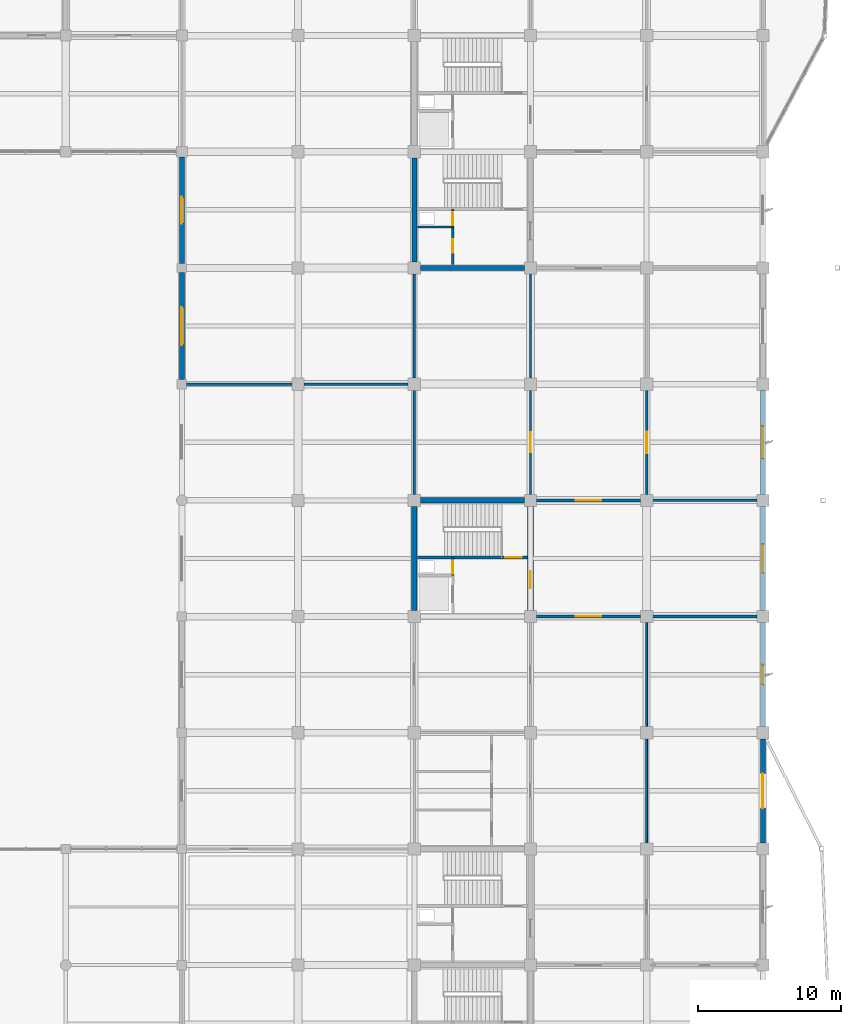
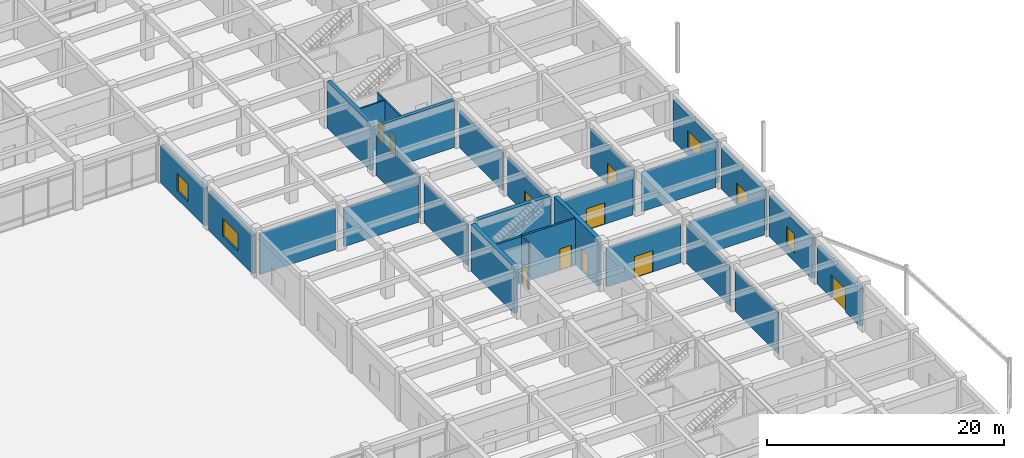
# One storey, part 70 of 99: 29 walls, 11 doors, 4 windows, 15 openings.
"""IFC4 building model written with IfcOpenShell, lengths in metres."""

from ifc_helpers import new_model, si_unit, direction, frame, frame_2d, origin, place, context, subcontext, project, spatial, rectangle, extrude, material, layer, layer_set, type_object, element, fill, save


model = new_model("IFC4")

# Units and contexts
model_context = context("Model", 3, precision=1e-05, world=origin(), true_north=direction((0.0, 1.0)))
body_context = subcontext(model_context, "Body", "Model", "MODEL_VIEW")
ifc_project = project(units=[si_unit("LENGTHUNIT", "METRE"), si_unit("AREAUNIT", "SQUARE_METRE"), si_unit("VOLUMEUNIT", "CUBIC_METRE"), si_unit("PLANEANGLEUNIT", "RADIAN"), si_unit("MASSUNIT", "GRAM", prefix="KILO")], contexts=[model_context])

# Site, building, storey
site_placement = place(None, origin())
site = spatial("IfcSite", under=ifc_project, at=site_placement, CompositionType="ELEMENT")
building_placement = place(site_placement, origin())
building = spatial("IfcBuilding", under=site, at=building_placement, Name="Vaudrelin Polytechnic", CompositionType="ELEMENT")
storey_placement = place(building_placement, origin())
storey = spatial("IfcBuildingStorey", under=building, at=storey_placement, Name="L00", CompositionType="ELEMENT", Elevation=0.0)

# Wall, opening, door
ifc_material_1 = material(Name="Precast concrete 35 MPa with terracotta baguette screen", Category="masonry")
ifc_layer_1 = layer(ifc_material_1, 0.35009765625)
ifc_layer_set_1 = layer_set([ifc_layer_1], Name="Precast concrete 35 MPa with terracotta baguette screen")
wall_type_1 = type_object("IfcWallType", Name="WAL-EW-TERR350", PredefinedType="STANDARD", material=ifc_layer_set_1)
wall_1_placement = place(storey_placement, frame((170.10009765625, 49.02294921875, 0.0), z_axis=(0.0, 0.0, 1.0), x_axis=(0.0, 1.0, 0.0)))
wall_1 = element("IfcWall", 1, at=wall_1_placement, inside=storey, type_object=wall_type_1, Name="Exterior wall L00 E_V4_04", PredefinedType="STANDARD", context=body_context, shape_type="SweptSolid", body=[
    extrude(rectangle(XDim=7.254150390625, YDim=0.35009765625, at=frame_2d((3.626953125, 0.0))), origin(), (0.0, 0.0, 1.0), 3.8720703125),
])
opening_1_placement = place(wall_1_placement, frame((4.826904296875, 0.0, 0.0), z_axis=(0.0, 0.0, 1.0), x_axis=(-1.0, 0.0, 0.0)))
opening_1 = element("IfcOpeningElement", 2, at=opening_1_placement, cuts=wall_1, Name="Opening ED-00-20", PredefinedType="OPENING", context=body_context, shape_type="SweptSolid", body=[
    extrude(rectangle(XDim=2.39990234375, YDim=2.39990234375, at=frame_2d((1.199951171875, 1.199951171875))), frame((0.0, 0.18505859375, 0.0), z_axis=(0.0, -1.0, 0.0), x_axis=(1.0, 0.0, 0.0)), (0.0, 0.0, 1.0), 0.3701171875),
])
ifc_material_2 = material(Name="Thermally broken anodised aluminium AA 6063-T6", Category="aluminium")
door_type_1 = type_object("IfcDoorType", Name="DOR-ED-01", OperationType="DOUBLE_SWING_LEFT", PredefinedType="DOOR", material=ifc_material_2)
door_1_placement = place(opening_1_placement, origin())
door_1 = element("IfcDoor", 3, at=door_1_placement, inside=storey, type_object=door_type_1, Name="Exterior exit door ED-00-20", OperationType="DOUBLE_SWING_RIGHT", OverallHeight=2.39990234375, OverallWidth=2.39990234375, PredefinedType="DOOR", context=body_context, shape_type="SweptSolid", body=[
    extrude(rectangle(XDim=2.39990234375, YDim=2.39990234375, at=frame_2d((1.199951171875, 1.199951171875))), frame((0.0, 0.02490234375, 0.0), z_axis=(0.0, -1.0, 0.0), x_axis=(1.0, 0.0, 0.0)), (0.0, 0.0, 1.0), 0.050048828125),
])
fill(opening_1, door_1)

# Wall, opening, window
wall_2_placement = place(storey_placement, frame((170.10009765625, 57.123046875, 0.0), z_axis=(0.0, 0.0, 1.0), x_axis=(0.0, 1.0, 0.0)))
wall_2 = element("IfcWall", 4, at=wall_2_placement, inside=storey, type_object=wall_type_1, Name="Exterior wall L00 E_V4_05", PredefinedType="STANDARD", context=body_context, shape_type="SweptSolid", body=[
    extrude(rectangle(XDim=7.25390625, YDim=0.35009765625, at=frame_2d((3.626953125, 0.0))), origin(), (0.0, 0.0, 1.0), 4.172119140625),
])
opening_2_placement = place(wall_2_placement, frame((2.951904296875, 0.0, 0.85009765625)))
opening_2 = element("IfcOpeningElement", 5, at=opening_2_placement, cuts=wall_2, Name="Opening W-L00-E-V4-06", PredefinedType="OPENING", context=body_context, shape_type="SweptSolid", body=[
    extrude(rectangle(XDim=1.35009765625, YDim=1.949951171875, at=frame_2d((0.675048828125, 0.97509765625))), frame((0.0, 0.18505859375, 0.0), z_axis=(0.0, -1.0, 0.0), x_axis=(1.0, 0.0, 0.0)), (0.0, 0.0, 1.0), 0.3701171875),
])
ifc_material_3 = material(Name="Thermally broken aluminium frame with triple low-e glazing", Category="aluminium")
window_type_1 = type_object("IfcWindowType", Name="WIN-WN-14", PartitioningType="SINGLE_PANEL", PredefinedType="WINDOW", material=ifc_material_3)
window_1_placement = place(opening_2_placement, origin())
window_1 = element("IfcWindow", 6, at=window_1_placement, inside=storey, type_object=window_type_1, Name="Facade window L00-E_V4_05", OverallHeight=1.949951171875, OverallWidth=1.35009765625, PartitioningType="SINGLE_PANEL", PredefinedType="WINDOW", context=body_context, shape_type="SweptSolid", body=[
    extrude(rectangle(XDim=1.35009765625, YDim=1.949951171875, at=frame_2d((0.675048828125, 0.97509765625))), frame((0.0, 0.030029296875, 0.0), z_axis=(0.0, -1.0, 0.0), x_axis=(1.0, 0.0, 0.0)), (0.0, 0.0, 1.0), 0.06005859375),
])
fill(opening_2, window_1)

# Wall, opening, door
wall_3_placement = place(storey_placement, frame((170.10009765625, 65.222900390625, 0.0), z_axis=(0.0, 0.0, 1.0), x_axis=(0.0, 1.0, 0.0)))
wall_3 = element("IfcWall", 7, at=wall_3_placement, inside=storey, type_object=wall_type_1, Name="Exterior wall L00 E_V4_06", PredefinedType="STANDARD", context=body_context, shape_type="SweptSolid", body=[
    extrude(rectangle(XDim=7.254150390625, YDim=0.35009765625, at=frame_2d((3.626953125, 0.0))), origin(), (0.0, 0.0, 1.0), 4.172119140625),
])
opening_3_placement = place(wall_3_placement, frame((4.626953125, 0.0, 0.0), z_axis=(0.0, 0.0, 1.0), x_axis=(-1.0, 0.0, 0.0)))
opening_3 = element("IfcOpeningElement", 8, at=opening_3_placement, cuts=wall_3, Name="Opening ED-00-08", PredefinedType="OPENING", context=body_context, shape_type="SweptSolid", body=[
    extrude(rectangle(XDim=2.0, YDim=2.199951171875, at=frame_2d((1.0, 1.10009765625))), frame((0.0, 0.18505859375, 0.0), z_axis=(0.0, -1.0, 0.0), x_axis=(1.0, 0.0, 0.0)), (0.0, 0.0, 1.0), 0.3701171875),
])
door_type_2 = type_object("IfcDoorType", Name="DOR-ED-02", OperationType="DOUBLE_SWING_LEFT", PredefinedType="DOOR", material=ifc_material_2)
door_2_placement = place(opening_3_placement, origin())
door_2 = element("IfcDoor", 9, at=door_2_placement, inside=storey, type_object=door_type_2, Name="Exterior exit door ED-00-08", OperationType="DOUBLE_SWING_LEFT", OverallHeight=2.199951171875, OverallWidth=2.0, PredefinedType="DOOR", context=body_context, shape_type="SweptSolid", body=[
    extrude(rectangle(XDim=2.0, YDim=2.199951171875, at=frame_2d((1.0, 1.10009765625))), frame((0.0, 0.02490234375, 0.0), z_axis=(0.0, -1.0, 0.0), x_axis=(1.0, 0.0, 0.0)), (0.0, 0.0, 1.0), 0.050048828125),
])
fill(opening_3, door_2)

# Wall, opening, window
wall_4_placement = place(storey_placement, frame((170.10009765625, 73.322998046875, 0.0), z_axis=(0.0, 0.0, 1.0), x_axis=(0.0, 1.0, 0.0)))
wall_4 = element("IfcWall", 10, at=wall_4_placement, inside=storey, type_object=wall_type_1, Name="Exterior wall L00 E_V4_07", PredefinedType="STANDARD", context=body_context, shape_type="SweptSolid", body=[
    extrude(rectangle(XDim=7.25390625, YDim=0.35009765625, at=frame_2d((3.626953125, 0.0))), origin(), (0.0, 0.0, 1.0), 4.221923828125),
])
opening_4_placement = place(wall_4_placement, frame((2.501953125, 0.0, 0.85009765625)))
opening_4 = element("IfcOpeningElement", 11, at=opening_4_placement, cuts=wall_4, Name="Opening W-L00-E-V4-08", PredefinedType="OPENING", context=body_context, shape_type="SweptSolid", body=[
    extrude(rectangle(XDim=2.25, YDim=1.75, at=frame_2d((1.125, 0.875))), frame((0.0, 0.18505859375, 0.0), z_axis=(0.0, -1.0, 0.0), x_axis=(1.0, 0.0, 0.0)), (0.0, 0.0, 1.0), 0.3701171875),
])
window_type_2 = type_object("IfcWindowType", Name="WIN-WN-15", PartitioningType="SINGLE_PANEL", PredefinedType="WINDOW", material=ifc_material_3)
window_2_placement = place(opening_4_placement, origin())
window_2 = element("IfcWindow", 12, at=window_2_placement, inside=storey, type_object=window_type_2, Name="Facade window L00-E_V4_07", OverallHeight=1.75, OverallWidth=2.25, PartitioningType="SINGLE_PANEL", PredefinedType="WINDOW", context=body_context, shape_type="SweptSolid", body=[
    extrude(rectangle(XDim=2.25, YDim=1.75, at=frame_2d((1.125, 0.875))), frame((0.0, 0.030029296875, 0.0), z_axis=(0.0, -1.0, 0.0), x_axis=(1.0, 0.0, 0.0)), (0.0, 0.0, 1.0), 0.06005859375),
])
fill(opening_4, window_2)

wall_5_placement = place(storey_placement, frame((129.60009765625, 81.322998046875, 0.0), z_axis=(0.0, 0.0, 1.0), x_axis=(0.0, 1.0, 0.0)))
wall_5 = element("IfcWall", 13, at=wall_5_placement, inside=storey, type_object=wall_type_1, Name="Exterior wall L00 CT_E_04", PredefinedType="STANDARD", context=body_context, shape_type="SweptSolid", body=[
    extrude(rectangle(XDim=7.4541015625, YDim=0.35009765625, at=frame_2d((3.72705078125, 0.0))), origin(), (0.0, 0.0, 1.0), 3.971923828125),
])
opening_5_placement = place(wall_5_placement, frame((2.402099609375, 0.0, 0.85009765625)))
opening_5 = element("IfcOpeningElement", 14, at=opening_5_placement, cuts=wall_5, Name="Opening W-L00-CT-E-05", PredefinedType="OPENING", context=body_context, shape_type="SweptSolid", body=[
    extrude(rectangle(XDim=2.64990234375, YDim=1.800048828125, at=frame_2d((1.324951171875, 0.89990234375))), frame((0.0, 0.18505859375, 0.0), z_axis=(0.0, -1.0, 0.0), x_axis=(1.0, 0.0, 0.0)), (0.0, 0.0, 1.0), 0.3701171875),
])
window_type_3 = type_object("IfcWindowType", Name="WIN-WN-32", PartitioningType="SINGLE_PANEL", PredefinedType="WINDOW", material=ifc_material_3)
window_3_placement = place(opening_5_placement, origin())
window_3 = element("IfcWindow", 15, at=window_3_placement, inside=storey, type_object=window_type_3, Name="Facade window L00-CT_E_04", OverallHeight=1.800048828125, OverallWidth=2.64990234375, PartitioningType="SINGLE_PANEL", PredefinedType="WINDOW", context=body_context, shape_type="SweptSolid", body=[
    extrude(rectangle(XDim=2.64990234375, YDim=1.800048828125, at=frame_2d((1.324951171875, 0.89990234375))), frame((0.0, 0.030029296875, 0.0), z_axis=(0.0, -1.0, 0.0), x_axis=(1.0, 0.0, 0.0)), (0.0, 0.0, 1.0), 0.06005859375),
])
fill(opening_5, window_3)

wall_6_placement = place(storey_placement, frame((129.60009765625, 89.423095703125, 0.0), z_axis=(0.0, 0.0, 1.0), x_axis=(0.0, 1.0, 0.0)))
wall_6 = element("IfcWall", 16, at=wall_6_placement, inside=storey, type_object=wall_type_1, Name="Exterior wall L00 CT_E_05", PredefinedType="STANDARD", context=body_context, shape_type="SweptSolid", body=[
    extrude(rectangle(XDim=7.40380859375, YDim=0.35009765625, at=frame_2d((3.701904296875, 0.0))), origin(), (0.0, 0.0, 1.0), 3.8720703125),
])
opening_6_placement = place(wall_6_placement, frame((2.777099609375, 0.0, 0.85009765625)))
opening_6 = element("IfcOpeningElement", 17, at=opening_6_placement, cuts=wall_6, Name="Opening W-L00-CT-E-06", PredefinedType="OPENING", context=body_context, shape_type="SweptSolid", body=[
    extrude(rectangle(XDim=1.85009765625, YDim=1.800048828125, at=frame_2d((0.925048828125, 0.89990234375))), frame((0.0, 0.18505859375, 0.0), z_axis=(0.0, -1.0, 0.0), x_axis=(1.0, 0.0, 0.0)), (0.0, 0.0, 1.0), 0.3701171875),
])
window_type_4 = type_object("IfcWindowType", Name="WIN-WN-33", PartitioningType="SINGLE_PANEL", PredefinedType="WINDOW", material=ifc_material_3)
window_4_placement = place(opening_6_placement, origin())
window_4 = element("IfcWindow", 18, at=window_4_placement, inside=storey, type_object=window_type_4, Name="Facade window L00-CT_E_05", OverallHeight=1.800048828125, OverallWidth=1.85009765625, PartitioningType="SINGLE_PANEL", PredefinedType="WINDOW", context=body_context, shape_type="SweptSolid", body=[
    extrude(rectangle(XDim=1.85009765625, YDim=1.800048828125, at=frame_2d((0.925048828125, 0.89990234375))), frame((0.0, 0.030029296875, 0.0), z_axis=(0.0, -1.0, 0.0), x_axis=(1.0, 0.0, 0.0)), (0.0, 0.0, 1.0), 0.06005859375),
])
fill(opening_6, window_4)

# Wall
ifc_material_4 = material(Name="Concrete masonry unit 20 MPa shaft & corridor fire wall", Category="masonry")
ifc_layer_2 = layer(ifc_material_4, 0.199951171875)
ifc_layer_set_2 = layer_set([ifc_layer_2], Name="Concrete masonry unit 20 MPa shaft & corridor fire wall")
wall_type_2 = type_object("IfcWallType", Name="WAL-PW-FIRE120", PredefinedType="PARTITIONING", material=ifc_layer_set_2)
wall_7_placement = place(storey_placement, frame((162.423095703125, 64.800048828125, 0.0), z_axis=(0.0, 0.0, 1.0), x_axis=(1.0, 0.0, 0.0)))
element("IfcWall", 19, at=wall_7_placement, inside=storey, type_object=wall_type_2, Name="Partition L00-034 N", PredefinedType="PARTITIONING", context=body_context, shape_type="SweptSolid", body=[
    extrude(rectangle(XDim=7.25390625, YDim=0.199951171875, at=frame_2d((3.626953125, 0.0))), origin(), (0.0, 0.0, 1.0), 3.8720703125),
])

# Wall, opening, door
wall_8_placement = place(storey_placement, frame((154.322998046875, 64.800048828125, 0.0), z_axis=(0.0, 0.0, 1.0), x_axis=(1.0, 0.0, 0.0)))
wall_8 = element("IfcWall", 20, at=wall_8_placement, inside=storey, type_object=wall_type_2, Name="Interior partition L00 19-8 to 20-8", PredefinedType="PARTITIONING", context=body_context, shape_type="SweptSolid", body=[
    extrude(rectangle(XDim=7.25390625, YDim=0.199951171875, at=frame_2d((3.626953125, 0.0))), origin(), (0.0, 0.0, 1.0), 3.971923828125),
])
opening_7_placement = place(wall_8_placement, frame((2.72705078125, 0.0, 0.0)))
opening_7 = element("IfcOpeningElement", 21, at=opening_7_placement, cuts=wall_8, Name="Opening D-L00-607", PredefinedType="OPENING", context=body_context, shape_type="SweptSolid", body=[
    extrude(rectangle(XDim=1.800048828125, YDim=2.199951171875, at=frame_2d((0.89990234375, 1.10009765625))), frame((0.0, 0.10986328125, 0.0), z_axis=(0.0, -1.0, 0.0), x_axis=(1.0, 0.0, 0.0)), (0.0, 0.0, 1.0), 0.219970703125),
])
ifc_material_5 = material(Name="Pressed galvanised steel acoustic leaf", Category="steel")
door_type_3 = type_object("IfcDoorType", Name="DOR-ID-DBL1", OperationType="NOTDEFINED", PredefinedType="DOOR", material=ifc_material_5)
door_3_placement = place(opening_7_placement, origin())
door_3 = element("IfcDoor", 22, at=door_3_placement, inside=storey, type_object=door_type_3, Name="East firefighting exit passageway south fire door L00", OperationType="DOUBLE_SWING_LEFT", OverallHeight=2.199951171875, OverallWidth=1.800048828125, PredefinedType="DOOR", context=body_context, shape_type="SweptSolid", body=[
    extrude(rectangle(XDim=1.800048828125, YDim=2.199951171875, at=frame_2d((0.89990234375, 1.10009765625))), frame((0.0, 0.02490234375, 0.0), z_axis=(0.0, -1.0, 0.0), x_axis=(1.0, 0.0, 0.0)), (0.0, 0.0, 1.0), 0.050048828125),
])
fill(opening_7, door_3)

wall_9_placement = place(storey_placement, frame((154.322998046875, 72.89990234375, 0.0), z_axis=(0.0, 0.0, 1.0), x_axis=(1.0, 0.0, 0.0)))
wall_9 = element("IfcWall", 23, at=wall_9_placement, inside=storey, type_object=wall_type_2, Name="Interior partition L00 19-9 to 20-9", PredefinedType="PARTITIONING", context=body_context, shape_type="SweptSolid", body=[
    extrude(rectangle(XDim=7.25390625, YDim=0.199951171875, at=frame_2d((3.626953125, 0.0))), origin(), (0.0, 0.0, 1.0), 3.8720703125),
])
opening_8_placement = place(wall_9_placement, frame((2.72705078125, 0.0, 0.0)))
opening_8 = element("IfcOpeningElement", 24, at=opening_8_placement, cuts=wall_9, Name="Opening D-L00-608", PredefinedType="OPENING", context=body_context, shape_type="SweptSolid", body=[
    extrude(rectangle(XDim=1.800048828125, YDim=2.199951171875, at=frame_2d((0.89990234375, 1.10009765625))), frame((0.0, 0.10986328125, 0.0), z_axis=(0.0, -1.0, 0.0), x_axis=(1.0, 0.0, 0.0)), (0.0, 0.0, 1.0), 0.219970703125),
])
door_4_placement = place(opening_8_placement, origin())
door_4 = element("IfcDoor", 25, at=door_4_placement, inside=storey, type_object=door_type_3, Name="East firefighting exit passageway north fire door L00", OperationType="DOUBLE_SWING_LEFT", OverallHeight=2.199951171875, OverallWidth=1.800048828125, PredefinedType="DOOR", context=body_context, shape_type="SweptSolid", body=[
    extrude(rectangle(XDim=1.800048828125, YDim=2.199951171875, at=frame_2d((0.89990234375, 1.10009765625))), frame((0.0, 0.02490234375, 0.0), z_axis=(0.0, -1.0, 0.0), x_axis=(1.0, 0.0, 0.0)), (0.0, 0.0, 1.0), 0.050048828125),
])
fill(opening_8, door_4)

ifc_material_6 = material(Name="Fire-rated steel-stud gypsum compartment wall", Category="steel")
ifc_layer_3 = layer(ifc_material_6, 0.14990234375)
ifc_layer_set_3 = layer_set([ifc_layer_3], Name="Fire-rated steel-stud gypsum compartment wall")
wall_type_3 = type_object("IfcWallType", Name="WAL-PW-FIRE60", PredefinedType="PARTITIONING", material=ifc_layer_set_3)
wall_10_placement = place(storey_placement, frame((148.47998046875, 67.64990234375, 0.0), z_axis=(0.0, 0.0, 1.0), x_axis=(0.0, 1.0, 0.0)))
wall_10 = element("IfcWall", 26, at=wall_10_placement, inside=storey, type_object=wall_type_3, Name="Core C7 riser enclosure wall L00", PredefinedType="PARTITIONING", context=body_context, shape_type="SweptSolid", body=[
    extrude(rectangle(XDim=1.260009765625, YDim=0.14990234375, at=frame_2d((0.6298828125, 0.0))), origin(), (0.0, 0.0, 1.0), 4.822021484375),
])
opening_9_placement = place(wall_10_placement, frame((0.139892578125, 0.0, 0.0)))
opening_9 = element("IfcOpeningElement", 27, at=opening_9_placement, cuts=wall_10, Name="Opening D-L00-116", PredefinedType="OPENING", context=body_context, shape_type="SweptSolid", body=[
    extrude(rectangle(XDim=0.89990234375, YDim=2.14990234375, at=frame_2d((0.449951171875, 1.074951171875))), frame((0.0, 0.0849609375, 0.0), z_axis=(0.0, -1.0, 0.0), x_axis=(1.0, 0.0, 0.0)), (0.0, 0.0, 1.0), 0.169921875),
])
door_type_4 = type_object("IfcDoorType", Name="DOR-ID-RSR1", OperationType="NOTDEFINED", PredefinedType="DOOR", material=ifc_material_5)
door_5_placement = place(opening_9_placement, origin())
door_5 = element("IfcDoor", 28, at=door_5_placement, inside=storey, type_object=door_type_4, Name="Core C7 riser access door L00", OperationType="SINGLE_SWING_RIGHT", OverallHeight=2.14990234375, OverallWidth=0.89990234375, PredefinedType="DOOR", context=body_context, shape_type="SweptSolid", body=[
    extrude(rectangle(XDim=0.89990234375, YDim=2.14990234375, at=frame_2d((0.449951171875, 1.074951171875))), frame((0.0, 0.02490234375, 0.0), z_axis=(0.0, -1.0, 0.0), x_axis=(1.0, 0.0, 0.0)), (0.0, 0.0, 1.0), 0.050048828125),
])
fill(opening_9, door_5)

wall_11_placement = place(storey_placement, frame((148.47998046875, 91.949951171875, 0.0), z_axis=(0.0, 0.0, 1.0), x_axis=(0.0, 1.0, 0.0)))
wall_11 = element("IfcWall", 29, at=wall_11_placement, inside=storey, type_object=wall_type_3, Name="Core C13 riser enclosure wall L00", PredefinedType="PARTITIONING", context=body_context, shape_type="SweptSolid", body=[
    extrude(rectangle(XDim=1.260009765625, YDim=0.14990234375, at=frame_2d((0.6298828125, 0.0))), origin(), (0.0, 0.0, 1.0), 4.822021484375),
])
opening_10_placement = place(wall_11_placement, frame((0.139892578125, 0.0, 0.0)))
opening_10 = element("IfcOpeningElement", 30, at=opening_10_placement, cuts=wall_11, Name="Opening D-L00-299", PredefinedType="OPENING", context=body_context, shape_type="SweptSolid", body=[
    extrude(rectangle(XDim=0.89990234375, YDim=2.14990234375, at=frame_2d((0.449951171875, 1.074951171875))), frame((0.0, 0.0849609375, 0.0), z_axis=(0.0, -1.0, 0.0), x_axis=(1.0, 0.0, 0.0)), (0.0, 0.0, 1.0), 0.169921875),
])
door_6_placement = place(opening_10_placement, origin())
door_6 = element("IfcDoor", 31, at=door_6_placement, inside=storey, type_object=door_type_4, Name="Core C13 riser access door L00", OperationType="SINGLE_SWING_RIGHT", OverallHeight=2.14990234375, OverallWidth=0.89990234375, PredefinedType="DOOR", context=body_context, shape_type="SweptSolid", body=[
    extrude(rectangle(XDim=0.89990234375, YDim=2.14990234375, at=frame_2d((0.449951171875, 1.074951171875))), frame((0.0, 0.02490234375, 0.0), z_axis=(0.0, -1.0, 0.0), x_axis=(1.0, 0.0, 0.0)), (0.0, 0.0, 1.0), 0.050048828125),
])
fill(opening_10, door_6)

# Wall
wall_12_placement = place(storey_placement, frame((146.02001953125, 91.949951171875, 0.0), z_axis=(0.0, 0.0, 1.0), x_axis=(1.0, 0.0, 0.0)))
element("IfcWall", 32, at=wall_12_placement, inside=storey, type_object=wall_type_3, Name="Core C13 riser south fire wall L00", PredefinedType="PARTITIONING", context=body_context, shape_type="SweptSolid", body=[
    extrude(rectangle(XDim=2.530029296875, YDim=0.14990234375, at=frame_2d((1.26513671875, 0.0))), origin(), (0.0, 0.0, 1.0), 4.822021484375),
])

# Wall, opening, door
wall_13_placement = place(storey_placement, frame((148.47998046875, 89.35009765625, 0.0), z_axis=(0.0, 0.0, 1.0), x_axis=(0.0, 1.0, 0.0)))
wall_13 = element("IfcWall", 33, at=wall_13_placement, inside=storey, type_object=wall_type_3, Name="Core C13 custodial enclosure wall L00", PredefinedType="PARTITIONING", context=body_context, shape_type="SweptSolid", body=[
    extrude(rectangle(XDim=2.599853515625, YDim=0.14990234375, at=frame_2d((1.2998046875, 0.0))), origin(), (0.0, 0.0, 1.0), 4.822021484375),
])
opening_11_placement = place(wall_13_placement, frame((0.800048828125, 0.0, 0.0)))
opening_11 = element("IfcOpeningElement", 34, at=opening_11_placement, cuts=wall_13, Name="Opening D-L00-300", PredefinedType="OPENING", context=body_context, shape_type="SweptSolid", body=[
    extrude(rectangle(XDim=0.949951171875, YDim=2.14990234375, at=frame_2d((0.47509765625, 1.074951171875))), frame((0.0, 0.0849609375, 0.0), z_axis=(0.0, -1.0, 0.0), x_axis=(1.0, 0.0, 0.0)), (0.0, 0.0, 1.0), 0.169921875),
])
door_type_5 = type_object("IfcDoorType", Name="DOR-ID-STR1", OperationType="NOTDEFINED", PredefinedType="DOOR", material=ifc_material_5)
door_7_placement = place(opening_11_placement, origin())
door_7 = element("IfcDoor", 35, at=door_7_placement, inside=storey, type_object=door_type_5, Name="Core C13 custodial door L00", OperationType="SINGLE_SWING_RIGHT", OverallHeight=2.14990234375, OverallWidth=0.949951171875, PredefinedType="DOOR", context=body_context, shape_type="SweptSolid", body=[
    extrude(rectangle(XDim=0.949951171875, YDim=2.14990234375, at=frame_2d((0.47509765625, 1.074951171875))), frame((0.0, 0.02490234375, 0.0), z_axis=(0.0, -1.0, 0.0), x_axis=(1.0, 0.0, 0.0)), (0.0, 0.0, 1.0), 0.050048828125),
])
fill(opening_11, door_7)

# Walls
ifc_material_7 = material(Name="Moisture- and chemical-resistant laboratory partition", Category="gypsum")
ifc_layer_4 = layer(ifc_material_7, 0.159912109375)
ifc_layer_set_4 = layer_set([ifc_layer_4], Name="Moisture- and chemical-resistant laboratory partition")
wall_type_4 = type_object("IfcWallType", Name="WAL-PW-LAB160", PredefinedType="PARTITIONING", material=ifc_layer_set_4)
wall_14_placement = place(storey_placement, frame((145.800048828125, 73.322998046875, 0.0), z_axis=(0.0, 0.0, 1.0), x_axis=(0.0, 1.0, 0.0)))
element("IfcWall", 36, at=wall_14_placement, inside=storey, type_object=wall_type_4, Name="Partition L00-022 E", PredefinedType="PARTITIONING", context=body_context, shape_type="SweptSolid", body=[
    extrude(rectangle(XDim=7.25390625, YDim=0.159912109375, at=frame_2d((3.626953125, 0.0))), origin(), (0.0, 0.0, 1.0), 4.172119140625),
])
wall_15_placement = place(storey_placement, frame((129.923095703125, 81.0, 0.0), z_axis=(0.0, 0.0, 1.0), x_axis=(1.0, 0.0, 0.0)))
element("IfcWall", 37, at=wall_15_placement, inside=storey, type_object=wall_type_4, Name="Partition L00-022 N", PredefinedType="PARTITIONING", context=body_context, shape_type="SweptSolid", body=[
    extrude(rectangle(XDim=7.35400390625, YDim=0.159912109375, at=frame_2d((3.677001953125, 0.0))), origin(), (0.0, 0.0, 1.0), 4.221923828125),
])
wall_16_placement = place(storey_placement, frame((138.123046875, 81.0, 0.0), z_axis=(0.0, 0.0, 1.0), x_axis=(1.0, 0.0, 0.0)))
element("IfcWall", 38, at=wall_16_placement, inside=storey, type_object=wall_type_4, Name="Partition L00-022 N", PredefinedType="PARTITIONING", context=body_context, shape_type="SweptSolid", body=[
    extrude(rectangle(XDim=7.25390625, YDim=0.159912109375, at=frame_2d((3.626953125, 0.0))), origin(), (0.0, 0.0, 1.0), 3.971923828125),
])

# Wall, opening, door
wall_17_placement = place(storey_placement, frame((153.89990234375, 73.322998046875, 0.0), z_axis=(0.0, 0.0, 1.0), x_axis=(0.0, 1.0, 0.0)))
wall_17 = element("IfcWall", 39, at=wall_17_placement, inside=storey, type_object=wall_type_4, Name="Partition L00-023 E", PredefinedType="PARTITIONING", context=body_context, shape_type="SweptSolid", body=[
    extrude(rectangle(XDim=7.25390625, YDim=0.159912109375, at=frame_2d((3.626953125, 0.0))), origin(), (0.0, 0.0, 1.0), 3.971923828125),
])
opening_12_placement = place(wall_17_placement, frame((2.9169921875, 0.0, 0.0)))
opening_12 = element("IfcOpeningElement", 40, at=opening_12_placement, cuts=wall_17, Name="Opening D-L00-438", PredefinedType="OPENING", context=body_context, shape_type="SweptSolid", body=[
    extrude(rectangle(XDim=1.419921875, YDim=2.25, at=frame_2d((0.7099609375, 1.125))), frame((0.0, 0.08984375, 0.0), z_axis=(0.0, -1.0, 0.0), x_axis=(1.0, 0.0, 0.0)), (0.0, 0.0, 1.0), 0.179931640625),
])
door_type_6 = type_object("IfcDoorType", Name="DOR-ID-LAB4", OperationType="NOTDEFINED", PredefinedType="DOOR", material=ifc_material_5)
door_8_placement = place(opening_12_placement, origin())
door_8 = element("IfcDoor", 41, at=door_8_placement, inside=storey, type_object=door_type_6, Name="Concrete Curing and Specimen Laboratory door L00-023", OperationType="DOUBLE_SWING_LEFT", OverallHeight=2.25, OverallWidth=1.419921875, PredefinedType="DOOR", context=body_context, shape_type="SweptSolid", body=[
    extrude(rectangle(XDim=1.419921875, YDim=2.25, at=frame_2d((0.7099609375, 1.125))), frame((0.0, 0.02490234375, 0.0), z_axis=(0.0, -1.0, 0.0), x_axis=(1.0, 0.0, 0.0)), (0.0, 0.0, 1.0), 0.050048828125),
])
fill(opening_12, door_8)

# Walls
wall_18_placement = place(storey_placement, frame((153.89990234375, 81.423095703125, 0.0), z_axis=(0.0, 0.0, 1.0), x_axis=(0.0, 1.0, 0.0)))
element("IfcWall", 42, at=wall_18_placement, inside=storey, type_object=wall_type_4, Name="Partition L00-023 E", PredefinedType="PARTITIONING", context=body_context, shape_type="SweptSolid", body=[
    extrude(rectangle(XDim=7.25390625, YDim=0.159912109375, at=frame_2d((3.626953125, 0.0))), origin(), (0.0, 0.0, 1.0), 3.8720703125),
])
wall_19_placement = place(storey_placement, frame((145.800048828125, 81.423095703125, 0.0), z_axis=(0.0, 0.0, 1.0), x_axis=(0.0, 1.0, 0.0)))
element("IfcWall", 43, at=wall_19_placement, inside=storey, type_object=wall_type_4, Name="Partition L00-023 W", PredefinedType="PARTITIONING", context=body_context, shape_type="SweptSolid", body=[
    extrude(rectangle(XDim=7.25390625, YDim=0.159912109375, at=frame_2d((3.626953125, 0.0))), origin(), (0.0, 0.0, 1.0), 4.221923828125),
])

# Wall, opening, door
wall_20_placement = place(storey_placement, frame((162.0, 73.322998046875, 0.0), z_axis=(0.0, 0.0, 1.0), x_axis=(0.0, 1.0, 0.0)))
wall_20 = element("IfcWall", 44, at=wall_20_placement, inside=storey, type_object=wall_type_4, Name="Partition L00-035 W", PredefinedType="PARTITIONING", context=body_context, shape_type="SweptSolid", body=[
    extrude(rectangle(XDim=7.25390625, YDim=0.159912109375, at=frame_2d((3.626953125, 0.0))), origin(), (0.0, 0.0, 1.0), 4.072021484375),
])
opening_13_placement = place(wall_20_placement, frame((2.876953125, 0.0, 0.0)))
opening_13 = element("IfcOpeningElement", 45, at=opening_13_placement, cuts=wall_20, Name="Opening D-L00-443", PredefinedType="OPENING", context=body_context, shape_type="SweptSolid", body=[
    extrude(rectangle(XDim=1.5, YDim=2.199951171875, at=frame_2d((0.75, 1.10009765625))), frame((0.0, 0.08984375, 0.0), z_axis=(0.0, -1.0, 0.0), x_axis=(1.0, 0.0, 0.0)), (0.0, 0.0, 1.0), 0.179931640625),
])
door_type_7 = type_object("IfcDoorType", Name="DOR-ID-LAB1", OperationType="NOTDEFINED", PredefinedType="DOOR", material=ifc_material_5)
door_9_placement = place(opening_13_placement, origin())
door_9 = element("IfcDoor", 46, at=door_9_placement, inside=storey, type_object=door_type_7, Name="Instrumentation Calibration Laboratory door L00-035", OperationType="DOUBLE_SWING_LEFT", OverallHeight=2.199951171875, OverallWidth=1.5, PredefinedType="DOOR", context=body_context, shape_type="SweptSolid", body=[
    extrude(rectangle(XDim=1.5, YDim=2.199951171875, at=frame_2d((0.75, 1.10009765625))), frame((0.0, 0.02490234375, 0.0), z_axis=(0.0, -1.0, 0.0), x_axis=(1.0, 0.0, 0.0)), (0.0, 0.0, 1.0), 0.050048828125),
])
fill(opening_13, door_9)

# Walls
wall_21_placement = place(storey_placement, frame((162.423095703125, 72.89990234375, 0.0), z_axis=(0.0, 0.0, 1.0), x_axis=(1.0, 0.0, 0.0)))
element("IfcWall", 47, at=wall_21_placement, inside=storey, type_object=wall_type_4, Name="Partition L00-035 S", PredefinedType="PARTITIONING", context=body_context, shape_type="SweptSolid", body=[
    extrude(rectangle(XDim=7.25390625, YDim=0.159912109375, at=frame_2d((3.626953125, 0.0))), origin(), (0.0, 0.0, 1.0), 4.072021484375),
])
ifc_material_8 = material(Name="Acoustic steel-stud office & study room partition", Category="steel")
ifc_layer_5 = layer(ifc_material_8, 0.135009765625)
ifc_layer_set_5 = layer_set([ifc_layer_5], Name="Acoustic steel-stud office & study room partition")
wall_type_5 = type_object("IfcWallType", Name="WAL-PW-OFF135", PredefinedType="PARTITIONING", material=ifc_layer_set_5)
wall_22_placement = place(storey_placement, frame((162.0, 49.02294921875, 0.0), z_axis=(0.0, 0.0, 1.0), x_axis=(0.0, 1.0, 0.0)))
element("IfcWall", 48, at=wall_22_placement, inside=storey, type_object=wall_type_5, Name="Partition L00-034 W", PredefinedType="PARTITIONING", context=body_context, shape_type="SweptSolid", body=[
    extrude(rectangle(XDim=7.254150390625, YDim=0.135009765625, at=frame_2d((3.626953125, 0.0))), origin(), (0.0, 0.0, 1.0), 4.221923828125),
])
wall_23_placement = place(storey_placement, frame((162.0, 57.123046875, 0.0), z_axis=(0.0, 0.0, 1.0), x_axis=(0.0, 1.0, 0.0)))
element("IfcWall", 49, at=wall_23_placement, inside=storey, type_object=wall_type_5, Name="Partition L00-034 W", PredefinedType="PARTITIONING", context=body_context, shape_type="SweptSolid", body=[
    extrude(rectangle(XDim=7.25390625, YDim=0.135009765625, at=frame_2d((3.626953125, 0.0))), origin(), (0.0, 0.0, 1.0), 3.971923828125),
])

# Wall, opening, door
ifc_material_9 = material(Name="Concrete 40 MPa", Category="concrete")
ifc_layer_6 = layer(ifc_material_9, 0.199951171875)
ifc_layer_set_6 = layer_set([ifc_layer_6], Name="Concrete 40 MPa")
wall_type_6 = type_object("IfcWallType", Name="WAL-SW-CORE200", PredefinedType="SHEAR", material=ifc_layer_set_6)
wall_24_placement = place(storey_placement, frame((146.02001953125, 68.909912109375, 0.0), z_axis=(0.0, 0.0, 1.0), x_axis=(1.0, 0.0, 0.0)))
wall_24 = element("IfcWall", 50, at=wall_24_placement, inside=storey, type_object=wall_type_6, Name="Core C7 stair enclosure wall L00", PredefinedType="SHEAR", context=body_context, shape_type="SweptSolid", body=[
    extrude(rectangle(XDim=7.659912109375, YDim=0.199951171875, at=frame_2d((3.830078125, 0.0))), origin(), (0.0, 0.0, 1.0), 4.822021484375),
])
opening_14_placement = place(wall_24_placement, frame((6.110107421875, 0.0, 0.0)))
opening_14 = element("IfcOpeningElement", 51, at=opening_14_placement, cuts=wall_24, Name="Opening D-L00-115", PredefinedType="OPENING", context=body_context, shape_type="SweptSolid", body=[
    extrude(rectangle(XDim=1.14990234375, YDim=2.199951171875, at=frame_2d((0.574951171875, 1.10009765625))), frame((0.0, 0.10986328125, 0.0), z_axis=(0.0, -1.0, 0.0), x_axis=(1.0, 0.0, 0.0)), (0.0, 0.0, 1.0), 0.219970703125),
])
door_type_8 = type_object("IfcDoorType", Name="DOR-ID-ST1", OperationType="NOTDEFINED", PredefinedType="DOOR", material=ifc_material_5)
door_10_placement = place(opening_14_placement, origin())
door_10 = element("IfcDoor", 52, at=door_10_placement, inside=storey, type_object=door_type_8, Name="Core C7 exit stair door L00", OperationType="SINGLE_SWING_LEFT", OverallHeight=2.199951171875, OverallWidth=1.14990234375, PredefinedType="DOOR", context=body_context, shape_type="SweptSolid", body=[
    extrude(rectangle(XDim=1.14990234375, YDim=2.199951171875, at=frame_2d((0.574951171875, 1.10009765625))), frame((0.0, 0.02490234375, 0.0), z_axis=(0.0, -1.0, 0.0), x_axis=(1.0, 0.0, 0.0)), (0.0, 0.0, 1.0), 0.050048828125),
])
fill(opening_14, door_10)

# Walls
ifc_material_10 = material(Name="Concrete 50 MPa", Category="concrete")
ifc_layer_7 = layer(ifc_material_10, 0.35009765625)
ifc_layer_set_7 = layer_set([ifc_layer_7], Name="Concrete 50 MPa")
wall_type_7 = type_object("IfcWallType", Name="WAL-SW-CORE350", PredefinedType="SHEAR", material=ifc_layer_set_7)
for number, where, z_axis, x_axis, name in (
    (53, (145.800048828125, 89.52294921875, 0.0), (0.0, 0.0, 1.0), (0.0, 1.0, 0.0), "Core C13 W shear wall L00"),
    (54, (146.222900390625, 89.10009765625, 0.0), (0.0, 0.0, 1.0), (1.0, 0.0, 0.0), "Core C13 S shear wall L00"),
):
    element("IfcWall", number, at=place(storey_placement, frame(where, z_axis=z_axis, x_axis=x_axis)), inside=storey, type_object=wall_type_7, Name=name, PredefinedType="SHEAR", context=body_context, shape_type="SweptSolid", body=[
        extrude(rectangle(XDim=7.254150390625, YDim=0.35009765625, at=frame_2d((3.626953125, 0.0))), origin(), (0.0, 0.0, 1.0), 4.822021484375),
    ])
ifc_layer_8 = layer(ifc_material_10, 0.39990234375)
ifc_layer_set_8 = layer_set([ifc_layer_8], Name="Concrete 50 MPa")
wall_type_8 = type_object("IfcWallType", Name="WAL-SW-CORE400", PredefinedType="SHEAR", material=ifc_layer_set_8)
for number, where, z_axis, x_axis, name in (
    (55, (146.222900390625, 72.89990234375, 0.0), (0.0, 0.0, 1.0), (1.0, 0.0, 0.0), "Core C7 N shear wall L00"),
    (56, (145.800048828125, 65.222900390625, 0.0), (0.0, 0.0, 1.0), (0.0, 1.0, 0.0), "Core C7 W shear wall L00"),
):
    element("IfcWall", number, at=place(storey_placement, frame(where, z_axis=z_axis, x_axis=x_axis)), inside=storey, type_object=wall_type_8, Name=name, PredefinedType="SHEAR", context=body_context, shape_type="SweptSolid", body=[
        extrude(rectangle(XDim=7.254150390625, YDim=0.39990234375, at=frame_2d((3.626953125, 0.0))), origin(), (0.0, 0.0, 1.0), 4.822021484375),
    ])

# Wall, opening, door
wall_25_placement = place(storey_placement, frame((153.89990234375, 65.222900390625, 0.0), z_axis=(0.0, 0.0, 1.0), x_axis=(0.0, 1.0, 0.0)))
wall_25 = element("IfcWall", 57, at=wall_25_placement, inside=storey, type_object=wall_type_8, Name="Core C7 E shear wall L00", PredefinedType="SHEAR", context=body_context, shape_type="SweptSolid", body=[
    extrude(rectangle(XDim=7.254150390625, YDim=0.39990234375, at=frame_2d((3.626953125, 0.0))), origin(), (0.0, 0.0, 1.0), 4.822021484375),
])
opening_15_placement = place(wall_25_placement, frame((2.75, 0.0, 0.0), z_axis=(0.0, 0.0, 1.0), x_axis=(-1.0, 0.0, 0.0)))
opening_15 = element("IfcOpeningElement", 58, at=opening_15_placement, cuts=wall_25, Name="Opening D-L00-114", PredefinedType="OPENING", context=body_context, shape_type="SweptSolid", body=[
    extrude(rectangle(XDim=1.199951171875, YDim=2.199951171875, at=frame_2d((0.60009765625, 1.10009765625))), frame((0.0, 0.2099609375, 0.0), z_axis=(0.0, -1.0, 0.0), x_axis=(1.0, 0.0, 0.0)), (0.0, 0.0, 1.0), 0.419921875),
])
door_type_9 = type_object("IfcDoorType", Name="DOR-ID-LB1", OperationType="NOTDEFINED", PredefinedType="DOOR", material=ifc_material_5)
door_11_placement = place(opening_15_placement, origin())
door_11 = element("IfcDoor", 59, at=door_11_placement, inside=storey, type_object=door_type_9, Name="Core C7 lobby fire door L00", OperationType="SINGLE_SWING_RIGHT", OverallHeight=2.199951171875, OverallWidth=1.199951171875, PredefinedType="DOOR", context=body_context, shape_type="SweptSolid", body=[
    extrude(rectangle(XDim=1.199951171875, YDim=2.199951171875, at=frame_2d((0.60009765625, 1.10009765625))), frame((0.0, 0.02490234375, 0.0), z_axis=(0.0, -1.0, 0.0), x_axis=(1.0, 0.0, 0.0)), (0.0, 0.0, 1.0), 0.050048828125),
])
fill(opening_15, door_11)

save(model, "model.ifc")
